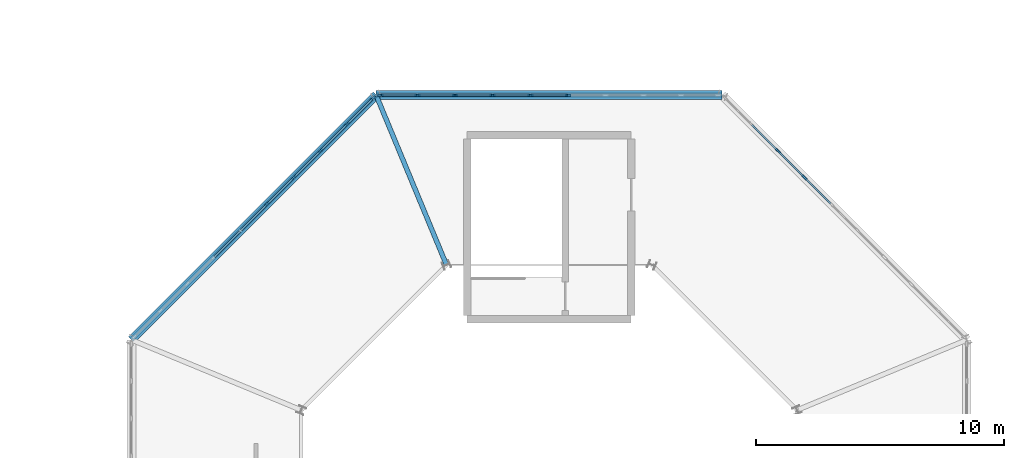
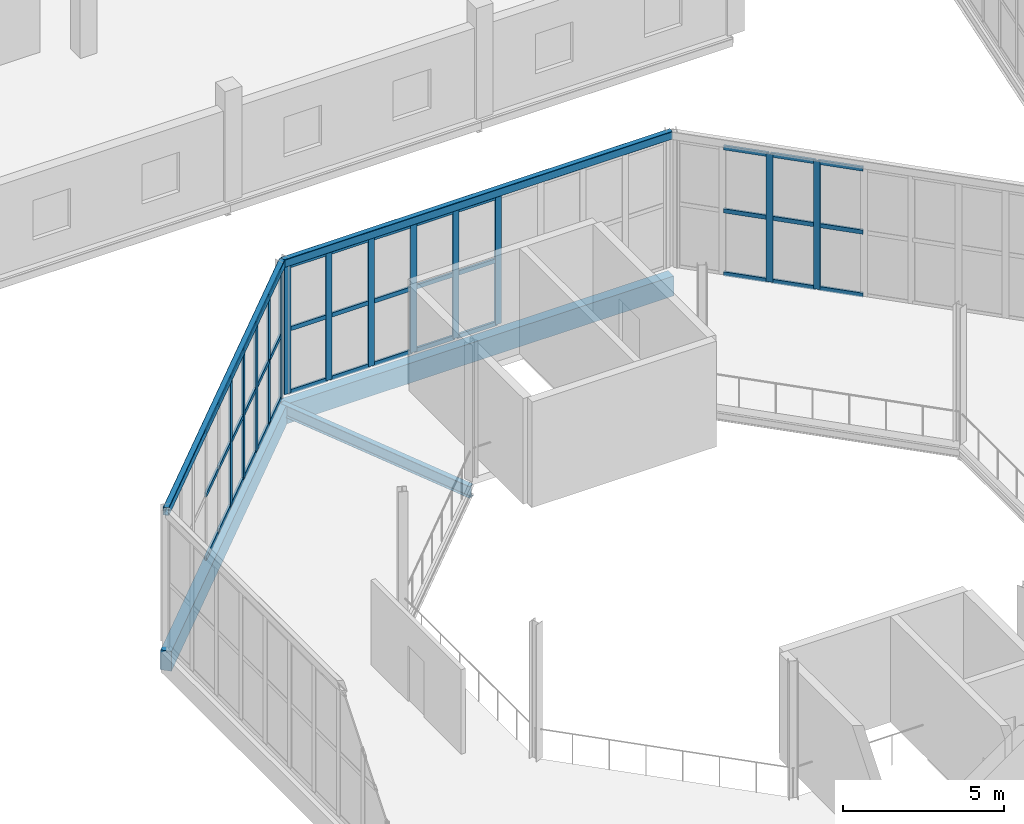
# One storey, part 49 of 161: 55 members, 5 beams, 3 elements without a shape of their own.
"""IFC4 building model written with IfcOpenShell, lengths in metres."""

from ifc_helpers import new_model, si_unit, direction, frame, origin, origin_2d, place, context, subcontext, project, spatial, rectangle, hollow_rectangle, i_section, extrude, material, material_profile, profile_set, type_object, element, aggregate, save


model = new_model("IFC4")

# Units and contexts
model_context = context("Model", 3, precision=1e-05, world=origin(), true_north=direction((0.0, 1.0)))
body_context = subcontext(model_context, "Body", "Model", "MODEL_VIEW")
ifc_project = project(units=[si_unit("LENGTHUNIT", "METRE"), si_unit("AREAUNIT", "SQUARE_METRE"), si_unit("VOLUMEUNIT", "CUBIC_METRE"), si_unit("PLANEANGLEUNIT", "RADIAN"), si_unit("MASSUNIT", "GRAM", prefix="KILO")], contexts=[model_context])

# Site, building, storey
site_placement = place(None, origin())
site = spatial("IfcSite", under=ifc_project, at=site_placement, CompositionType="ELEMENT")
building_placement = place(site_placement, origin())
building = spatial("IfcBuilding", under=site, at=building_placement, Name="Kildeholm Park Wholesale Market", CompositionType="ELEMENT")
storey_placement = place(building_placement, frame((0.0, 0.0, 5.39990234375)))
storey = spatial("IfcBuildingStorey", under=building, at=storey_placement, Name="L01", CompositionType="ELEMENT", Elevation=5.39990234375)

# Beams
ifc_material_1 = material(Name="Steel S355", Category="steel")
ifc_material_profile_1 = material_profile(ifc_material_1, i_section(OverallWidth=0.18994140625, OverallDepth=0.449951171875, WebThickness=0.009521484375, FlangeThickness=0.0146484375, FilletRadius=0.02099609375, at=origin_2d()), Name="IPE 450")
ifc_profile_set_1 = profile_set([ifc_material_profile_1], Name="Steel S355")
beam_type_1 = type_object("IfcBeamType", Name="Beam B-P02 IPE 450", PredefinedType="BEAM", material=ifc_profile_set_1)
beam_1_placement = place(storey_placement, frame((16.866943359375, 81.97802734375, -0.494873046875), z_axis=(-0.382693665462, 0.923875293758, 0.0), x_axis=(-0.923875293758, -0.382693665462, 0.0)))
element("IfcBeam", 1, at=beam_1_placement, inside=storey, type_object=beam_type_1, Name="Beam BM-V3-L01-R-02 BM-0487", PredefinedType="BEAM", context=body_context, shape_type="SweptSolid", body=[
    extrude(i_section(OverallWidth=0.18994140625, OverallDepth=0.449951171875, WebThickness=0.009521484375, FlangeThickness=0.0146484375, FilletRadius=0.02099609375, at=origin_2d()), origin(), (0.0, 0.0, 1.0), 7.400146484375),
])
ifc_material_profile_2 = material_profile(ifc_material_1, hollow_rectangle(XDim=0.199951171875, YDim=0.300048828125, WallThickness=0.012451171875, InnerFilletRadius=0.012451171875, OuterFilletRadius=0.02490234375, at=origin_2d()), Name="RHS 300x200x12.5")
ifc_profile_set_2 = profile_set([ifc_material_profile_2], Name="Steel S355")
beam_type_2 = type_object("IfcBeamType", Name="Beam SP-01 RHS 300x200x12.5", PredefinedType="SPANDREL", material=ifc_profile_set_2)
beam_2_placement = place(storey_placement, frame((27.965087890625, 88.81494140625, 5.00927734375), z_axis=(-1.0, 0.0, 0.0), x_axis=(0.0, -1.0, 0.0)))
element("IfcBeam", 2, at=beam_2_placement, inside=storey, type_object=beam_type_2, Name="Beam BM-V3-EAV-01 BM-0484", PredefinedType="SPANDREL", context=body_context, shape_type="SweptSolid", body=[
    extrude(hollow_rectangle(XDim=0.199951171875, YDim=0.300048828125, WallThickness=0.012451171875, InnerFilletRadius=0.012451171875, OuterFilletRadius=0.02490234375, at=origin_2d()), origin(), (0.0, 0.0, 1.0), 13.93017578125),
])
beam_3_placement = place(storey_placement, frame((14.034912109375, 88.81494140625, 5.00927734375), z_axis=(-0.707106781187, -0.707106781187, 0.0), x_axis=(0.707106781187, -0.707106781187, 0.0)))
element("IfcBeam", 3, at=beam_3_placement, inside=storey, type_object=beam_type_2, Name="Beam BM-V3-EAV-02 BM-0490", PredefinedType="SPANDREL", context=body_context, shape_type="SweptSolid", body=[
    extrude(hollow_rectangle(XDim=0.199951171875, YDim=0.300048828125, WallThickness=0.012451171875, InnerFilletRadius=0.012451171875, OuterFilletRadius=0.02490234375, at=origin_2d()), origin(), (0.0, 0.0, 1.0), 13.9296875),
])
ifc_material_2 = material(Name="Precast concrete C40/50", Category="concrete")
ifc_material_profile_3 = material_profile(ifc_material_2, rectangle(XDim=0.35009765625, YDim=0.75, at=origin_2d()), Name="PC-SP 350x750")
ifc_profile_set_3 = profile_set([ifc_material_profile_3], Name="Precast concrete C40/50")
beam_type_3 = type_object("IfcBeamType", Name="Beam SP-03 PC-SP 350x750", PredefinedType="SPANDREL", material=ifc_profile_set_3)
beam_4_placement = place(storey_placement, frame((27.965087890625, 88.81494140625, -0.64501953125), z_axis=(-1.0, 0.0, 0.0), x_axis=(0.0, -1.0, 0.0)))
element("IfcBeam", 4, at=beam_4_placement, inside=storey, type_object=beam_type_3, Name="Beam BM-V3-L01-CO-01 BM-0483", PredefinedType="SPANDREL", context=body_context, shape_type="SweptSolid", body=[
    extrude(rectangle(XDim=0.35009765625, YDim=0.75, at=origin_2d()), origin(), (0.0, 0.0, 1.0), 13.93017578125),
])
beam_5_placement = place(storey_placement, frame((14.034912109375, 88.81494140625, -0.64501953125), z_axis=(-0.707106781187, -0.707106781187, 0.0), x_axis=(0.707106781187, -0.707106781187, 0.0)))
element("IfcBeam", 5, at=beam_5_placement, inside=storey, type_object=beam_type_3, Name="Beam BM-V3-L01-CO-02 BM-0489", PredefinedType="SPANDREL", context=body_context, shape_type="SweptSolid", body=[
    extrude(rectangle(XDim=0.35009765625, YDim=0.75, at=origin_2d()), origin(), (0.0, 0.0, 1.0), 13.9296875),
])

# Curtain wall, members
ifc_material_3 = material(Name="Anodised aluminium and low-E double-glazed glass", Category="aluminium")
curtain_wall_type = type_object("IfcCurtainWallType", Name="Clerestory daylight stick curtain wall CW-02", PredefinedType="NOTDEFINED", material=ifc_material_3)
curtain_wall_1_placement = place(storey_placement, origin())
curtain_wall_1 = element("IfcCurtainWall", 6, at=curtain_wall_1_placement, inside=storey, type_object=curtain_wall_type, Name="Curtain wall CW-V3-L01-00 CW-0135", PredefinedType="NOTDEFINED")
ifc_material_4 = material(Name="Anodised aluminium", Category="aluminium")
ifc_material_profile_4 = material_profile(ifc_material_4, rectangle(XDim=0.074951171875, YDim=0.219970703125, at=origin_2d()), Name="CWM 75x220")
ifc_profile_set_4 = profile_set([ifc_material_profile_4], Name="Anodised aluminium")
member_type_1 = type_object("IfcMemberType", Name="Curtain-wall mullion CWM-2 CWM 75x220", PredefinedType="MULLION", material=ifc_profile_set_4)
member_1_placement = place(storey_placement, frame((31.28125, 85.498779296875, 0.0), z_axis=(0.0, 0.0, 1.0), x_axis=(-0.707106781187, -0.707106781187, 0.0)))
member_1 = element("IfcMember", 7, at=member_1_placement, type_object=member_type_1, Name="CW-02 mullion 7 MEM-4150", PredefinedType="MULLION", context=body_context, shape_type="SweptSolid", body=[
    extrude(rectangle(XDim=0.074951171875, YDim=0.219970703125, at=origin_2d()), origin(), (0.0, 0.0, 1.0), 4.85009765625),
])
member_2_placement = place(storey_placement, frame((30.208984375, 86.571044921875, 0.0), z_axis=(0.0, 0.0, 1.0), x_axis=(-0.707106781187, -0.707106781187, 0.0)))
member_2 = element("IfcMember", 8, at=member_2_placement, type_object=member_type_1, Name="CW-02 mullion 8 MEM-4151", PredefinedType="MULLION", context=body_context, shape_type="SweptSolid", body=[
    extrude(rectangle(XDim=0.074951171875, YDim=0.219970703125, at=origin_2d()), origin(), (0.0, 0.0, 1.0), 4.85009765625),
])

curtain_wall_2_placement = place(storey_placement, origin())
curtain_wall_2 = element("IfcCurtainWall", 9, at=curtain_wall_2_placement, inside=storey, type_object=curtain_wall_type, Name="Curtain wall CW-V3-L01-01 CW-0136", PredefinedType="NOTDEFINED")
member_3_placement = place(storey_placement, frame((21.75830078125, 88.81494140625, 0.0), z_axis=(0.0, 0.0, 1.0), x_axis=(0.0, -1.0, 0.0)))
member_3 = element("IfcMember", 10, at=member_3_placement, type_object=member_type_1, Name="CW-02 mullion 5 MEM-4185", PredefinedType="MULLION", context=body_context, shape_type="SweptSolid", body=[
    extrude(rectangle(XDim=0.074951171875, YDim=0.219970703125, at=origin_2d()), origin(), (0.0, 0.0, 1.0), 4.85009765625),
])
member_4_placement = place(storey_placement, frame((20.24169921875, 88.81494140625, 0.0), z_axis=(0.0, 0.0, 1.0), x_axis=(0.0, -1.0, 0.0)))
member_4 = element("IfcMember", 11, at=member_4_placement, type_object=member_type_1, Name="CW-02 mullion 6 MEM-4186", PredefinedType="MULLION", context=body_context, shape_type="SweptSolid", body=[
    extrude(rectangle(XDim=0.074951171875, YDim=0.219970703125, at=origin_2d()), origin(), (0.0, 0.0, 1.0), 4.85009765625),
])
member_5_placement = place(storey_placement, frame((18.72509765625, 88.81494140625, 0.0), z_axis=(0.0, 0.0, 1.0), x_axis=(0.0, -1.0, 0.0)))
member_5 = element("IfcMember", 12, at=member_5_placement, type_object=member_type_1, Name="CW-02 mullion 7 MEM-4187", PredefinedType="MULLION", context=body_context, shape_type="SweptSolid", body=[
    extrude(rectangle(XDim=0.074951171875, YDim=0.219970703125, at=origin_2d()), origin(), (0.0, 0.0, 1.0), 4.85009765625),
])
member_6_placement = place(storey_placement, frame((17.208251953125, 88.81494140625, 0.0), z_axis=(0.0, 0.0, 1.0), x_axis=(0.0, -1.0, 0.0)))
member_6 = element("IfcMember", 13, at=member_6_placement, type_object=member_type_1, Name="CW-02 mullion 8 MEM-4188", PredefinedType="MULLION", context=body_context, shape_type="SweptSolid", body=[
    extrude(rectangle(XDim=0.074951171875, YDim=0.219970703125, at=origin_2d()), origin(), (0.0, 0.0, 1.0), 4.85009765625),
])
member_7_placement = place(storey_placement, frame((15.691650390625, 88.81494140625, 0.0), z_axis=(0.0, 0.0, 1.0), x_axis=(0.0, -1.0, 0.0)))
member_7 = element("IfcMember", 14, at=member_7_placement, type_object=member_type_1, Name="CW-02 mullion 9 MEM-4189", PredefinedType="MULLION", context=body_context, shape_type="SweptSolid", body=[
    extrude(rectangle(XDim=0.074951171875, YDim=0.219970703125, at=origin_2d()), origin(), (0.0, 0.0, 1.0), 4.85009765625),
])
member_8_placement = place(storey_placement, frame((14.21240234375, 88.81494140625, 0.0), z_axis=(0.0, 0.0, 1.0), x_axis=(0.0, -1.0, 0.0)))
member_8 = element("IfcMember", 15, at=member_8_placement, type_object=member_type_1, Name="CW-02 mullion 10 MEM-4190", PredefinedType="MULLION", context=body_context, shape_type="SweptSolid", body=[
    extrude(rectangle(XDim=0.074951171875, YDim=0.219970703125, at=origin_2d()), origin(), (0.0, 0.0, 1.0), 4.85009765625),
])

curtain_wall_3_placement = place(storey_placement, origin())
curtain_wall_3 = element("IfcCurtainWall", 16, at=curtain_wall_3_placement, inside=storey, type_object=curtain_wall_type, Name="Curtain wall CW-V3-L01-02 CW-0137", PredefinedType="NOTDEFINED")
member_9_placement = place(storey_placement, frame((13.909423828125, 88.689453125, 0.0), z_axis=(0.0, 0.0, 1.0), x_axis=(0.707106781187, -0.707106781187, 0.0)))
member_9 = element("IfcMember", 17, at=member_9_placement, type_object=member_type_1, Name="CW-02 mullion 1 MEM-4218", PredefinedType="MULLION", context=body_context, shape_type="SweptSolid", body=[
    extrude(rectangle(XDim=0.074951171875, YDim=0.219970703125, at=origin_2d()), origin(), (0.0, 0.0, 1.0), 4.85009765625),
])
member_10_placement = place(storey_placement, frame((12.863525390625, 87.6435546875, 0.0), z_axis=(0.0, 0.0, 1.0), x_axis=(0.707106781187, -0.707106781187, 0.0)))
member_10 = element("IfcMember", 18, at=member_10_placement, type_object=member_type_1, Name="CW-02 mullion 2 MEM-4219", PredefinedType="MULLION", context=body_context, shape_type="SweptSolid", body=[
    extrude(rectangle(XDim=0.074951171875, YDim=0.219970703125, at=origin_2d()), origin(), (0.0, 0.0, 1.0), 4.85009765625),
])
member_11_placement = place(storey_placement, frame((11.791015625, 86.571044921875, 0.0), z_axis=(0.0, 0.0, 1.0), x_axis=(0.707106781187, -0.707106781187, 0.0)))
member_11 = element("IfcMember", 19, at=member_11_placement, type_object=member_type_1, Name="CW-02 mullion 3 MEM-4220", PredefinedType="MULLION", context=body_context, shape_type="SweptSolid", body=[
    extrude(rectangle(XDim=0.074951171875, YDim=0.219970703125, at=origin_2d()), origin(), (0.0, 0.0, 1.0), 4.85009765625),
])
member_12_placement = place(storey_placement, frame((10.71875, 85.498779296875, 0.0), z_axis=(0.0, 0.0, 1.0), x_axis=(0.707106781187, -0.707106781187, 0.0)))
member_12 = element("IfcMember", 20, at=member_12_placement, type_object=member_type_1, Name="CW-02 mullion 4 MEM-4221", PredefinedType="MULLION", context=body_context, shape_type="SweptSolid", body=[
    extrude(rectangle(XDim=0.074951171875, YDim=0.219970703125, at=origin_2d()), origin(), (0.0, 0.0, 1.0), 4.85009765625),
])
member_13_placement = place(storey_placement, frame((9.646240234375, 84.42626953125, 0.0), z_axis=(0.0, 0.0, 1.0), x_axis=(0.707106781187, -0.707106781187, 0.0)))
member_13 = element("IfcMember", 21, at=member_13_placement, type_object=member_type_1, Name="CW-02 mullion 5 MEM-4222", PredefinedType="MULLION", context=body_context, shape_type="SweptSolid", body=[
    extrude(rectangle(XDim=0.074951171875, YDim=0.219970703125, at=origin_2d()), origin(), (0.0, 0.0, 1.0), 4.85009765625),
])

# Member
ifc_material_profile_5 = material_profile(ifc_material_4, rectangle(XDim=0.074951171875, YDim=0.159912109375, at=origin_2d()), Name="CWT 75x160")
ifc_profile_set_5 = profile_set([ifc_material_profile_5], Name="Anodised aluminium")
member_type_2 = type_object("IfcMemberType", Name="Curtain-wall transom CWT-2 CWT 75x160", PredefinedType="USERDEFINED", material=ifc_profile_set_5)
member_14_placement = place(storey_placement, frame((32.3271484375, 84.45263671875, 0.03759765625), z_axis=(-0.707022102811, 0.707191449423, 0.0), x_axis=(-0.707191449423, -0.707022102811, 0.0)))
member_14 = element("IfcMember", 22, at=member_14_placement, type_object=member_type_2, Name="CW-02 transom 6.1 MEM-4169", ObjectType="TRANSOM", PredefinedType="USERDEFINED", context=body_context, shape_type="SweptSolid", body=[
    extrude(rectangle(XDim=0.074951171875, YDim=0.159912109375, at=origin_2d()), origin(), (0.0, 0.0, 1.0), 1.441650390625),
])

member_15_placement = place(storey_placement, frame((32.3271484375, 84.45263671875, 2.425048828125), z_axis=(-0.707022102811, 0.707191449423, 0.0), x_axis=(-0.707191449423, -0.707022102811, 0.0)))
member_15 = element("IfcMember", 23, at=member_15_placement, type_object=member_type_2, Name="CW-02 transom 6.2 MEM-4170", ObjectType="TRANSOM", PredefinedType="USERDEFINED", context=body_context, shape_type="SweptSolid", body=[
    extrude(rectangle(XDim=0.074951171875, YDim=0.159912109375, at=origin_2d()), origin(), (0.0, 0.0, 1.0), 1.441650390625),
])

member_16_placement = place(storey_placement, frame((32.3271484375, 84.45263671875, 4.8125), z_axis=(-0.707022102811, 0.707191449423, 0.0), x_axis=(-0.707191449423, -0.707022102811, 0.0)))
member_16 = element("IfcMember", 24, at=member_16_placement, type_object=member_type_2, Name="CW-02 transom 6.3 MEM-4171", ObjectType="TRANSOM", PredefinedType="USERDEFINED", context=body_context, shape_type="SweptSolid", body=[
    extrude(rectangle(XDim=0.074951171875, YDim=0.159912109375, at=origin_2d()), origin(), (0.0, 0.0, 1.0), 1.441650390625),
])

member_17_placement = place(storey_placement, frame((31.2548828125, 85.525146484375, 0.03759765625), z_axis=(-0.707106781187, 0.707106781187, 0.0), x_axis=(-0.707106781187, -0.707106781187, 0.0)))
member_17 = element("IfcMember", 25, at=member_17_placement, type_object=member_type_2, Name="CW-02 transom 7.1 MEM-4172", ObjectType="TRANSOM", PredefinedType="USERDEFINED", context=body_context, shape_type="SweptSolid", body=[
    extrude(rectangle(XDim=0.074951171875, YDim=0.159912109375, at=origin_2d()), origin(), (0.0, 0.0, 1.0), 1.44189453125),
])

member_18_placement = place(storey_placement, frame((31.2548828125, 85.525146484375, 2.425048828125), z_axis=(-0.707106781187, 0.707106781187, 0.0), x_axis=(-0.707106781187, -0.707106781187, 0.0)))
member_18 = element("IfcMember", 26, at=member_18_placement, type_object=member_type_2, Name="CW-02 transom 7.2 MEM-4173", ObjectType="TRANSOM", PredefinedType="USERDEFINED", context=body_context, shape_type="SweptSolid", body=[
    extrude(rectangle(XDim=0.074951171875, YDim=0.159912109375, at=origin_2d()), origin(), (0.0, 0.0, 1.0), 1.44189453125),
])

member_19_placement = place(storey_placement, frame((31.2548828125, 85.525146484375, 4.8125), z_axis=(-0.707106781187, 0.707106781187, 0.0), x_axis=(-0.707106781187, -0.707106781187, 0.0)))
member_19 = element("IfcMember", 27, at=member_19_placement, type_object=member_type_2, Name="CW-02 transom 7.3 MEM-4174", ObjectType="TRANSOM", PredefinedType="USERDEFINED", context=body_context, shape_type="SweptSolid", body=[
    extrude(rectangle(XDim=0.074951171875, YDim=0.159912109375, at=origin_2d()), origin(), (0.0, 0.0, 1.0), 1.44189453125),
])

member_20_placement = place(storey_placement, frame((30.182373046875, 86.59765625, 0.03759765625), z_axis=(-0.707191449423, 0.707022102811, 0.0), x_axis=(-0.707022102811, -0.707191449423, 0.0)))
member_20 = element("IfcMember", 28, at=member_20_placement, type_object=member_type_2, Name="CW-02 transom 8.1 MEM-4175", ObjectType="TRANSOM", PredefinedType="USERDEFINED", context=body_context, shape_type="SweptSolid", body=[
    extrude(rectangle(XDim=0.074951171875, YDim=0.159912109375, at=origin_2d()), origin(), (0.0, 0.0, 1.0), 1.441650390625),
])

member_21_placement = place(storey_placement, frame((30.182373046875, 86.59765625, 2.425048828125), z_axis=(-0.707191449423, 0.707022102811, 0.0), x_axis=(-0.707022102811, -0.707191449423, 0.0)))
member_21 = element("IfcMember", 29, at=member_21_placement, type_object=member_type_2, Name="CW-02 transom 8.2 MEM-4176", ObjectType="TRANSOM", PredefinedType="USERDEFINED", context=body_context, shape_type="SweptSolid", body=[
    extrude(rectangle(XDim=0.074951171875, YDim=0.159912109375, at=origin_2d()), origin(), (0.0, 0.0, 1.0), 1.441650390625),
])

member_22_placement = place(storey_placement, frame((30.182373046875, 86.59765625, 4.8125), z_axis=(-0.707191449423, 0.707022102811, 0.0), x_axis=(-0.707022102811, -0.707191449423, 0.0)))
member_22 = element("IfcMember", 30, at=member_22_placement, type_object=member_type_2, Name="CW-02 transom 8.3 MEM-4177", ObjectType="TRANSOM", PredefinedType="USERDEFINED", context=body_context, shape_type="SweptSolid", body=[
    extrude(rectangle(XDim=0.074951171875, YDim=0.159912109375, at=origin_2d()), origin(), (0.0, 0.0, 1.0), 1.441650390625),
])

aggregate(curtain_wall_1, [member_1, member_2, member_14, member_15, member_16, member_17, member_18, member_19, member_20, member_21, member_22])

member_23_placement = place(storey_placement, frame((21.720947265625, 88.81494140625, 0.03759765625), z_axis=(-1.0, 0.0, 0.0), x_axis=(0.0, -1.0, 0.0)))
member_23 = element("IfcMember", 31, at=member_23_placement, type_object=member_type_2, Name="CW-02 transom 5.1 MEM-4203", ObjectType="TRANSOM", PredefinedType="USERDEFINED", context=body_context, shape_type="SweptSolid", body=[
    extrude(rectangle(XDim=0.074951171875, YDim=0.159912109375, at=origin_2d()), origin(), (0.0, 0.0, 1.0), 1.44189453125),
])

member_24_placement = place(storey_placement, frame((21.720947265625, 88.81494140625, 2.425048828125), z_axis=(-1.0, 0.0, 0.0), x_axis=(0.0, -1.0, 0.0)))
member_24 = element("IfcMember", 32, at=member_24_placement, type_object=member_type_2, Name="CW-02 transom 5.2 MEM-4204", ObjectType="TRANSOM", PredefinedType="USERDEFINED", context=body_context, shape_type="SweptSolid", body=[
    extrude(rectangle(XDim=0.074951171875, YDim=0.159912109375, at=origin_2d()), origin(), (0.0, 0.0, 1.0), 1.44189453125),
])

member_25_placement = place(storey_placement, frame((21.720947265625, 88.81494140625, 4.8125), z_axis=(-1.0, 0.0, 0.0), x_axis=(0.0, -1.0, 0.0)))
member_25 = element("IfcMember", 33, at=member_25_placement, type_object=member_type_2, Name="CW-02 transom 5.3 MEM-4205", ObjectType="TRANSOM", PredefinedType="USERDEFINED", context=body_context, shape_type="SweptSolid", body=[
    extrude(rectangle(XDim=0.074951171875, YDim=0.159912109375, at=origin_2d()), origin(), (0.0, 0.0, 1.0), 1.44189453125),
])

member_26_placement = place(storey_placement, frame((20.2041015625, 88.81494140625, 0.03759765625), z_axis=(-1.0, 0.0, 0.0), x_axis=(0.0, -1.0, 0.0)))
member_26 = element("IfcMember", 34, at=member_26_placement, type_object=member_type_2, Name="CW-02 transom 6.1 MEM-4206", ObjectType="TRANSOM", PredefinedType="USERDEFINED", context=body_context, shape_type="SweptSolid", body=[
    extrude(rectangle(XDim=0.074951171875, YDim=0.159912109375, at=origin_2d()), origin(), (0.0, 0.0, 1.0), 1.441650390625),
])

member_27_placement = place(storey_placement, frame((20.2041015625, 88.81494140625, 2.425048828125), z_axis=(-1.0, 0.0, 0.0), x_axis=(0.0, -1.0, 0.0)))
member_27 = element("IfcMember", 35, at=member_27_placement, type_object=member_type_2, Name="CW-02 transom 6.2 MEM-4207", ObjectType="TRANSOM", PredefinedType="USERDEFINED", context=body_context, shape_type="SweptSolid", body=[
    extrude(rectangle(XDim=0.074951171875, YDim=0.159912109375, at=origin_2d()), origin(), (0.0, 0.0, 1.0), 1.441650390625),
])

member_28_placement = place(storey_placement, frame((20.2041015625, 88.81494140625, 4.8125), z_axis=(-1.0, 0.0, 0.0), x_axis=(0.0, -1.0, 0.0)))
member_28 = element("IfcMember", 36, at=member_28_placement, type_object=member_type_2, Name="CW-02 transom 6.3 MEM-4208", ObjectType="TRANSOM", PredefinedType="USERDEFINED", context=body_context, shape_type="SweptSolid", body=[
    extrude(rectangle(XDim=0.074951171875, YDim=0.159912109375, at=origin_2d()), origin(), (0.0, 0.0, 1.0), 1.441650390625),
])

member_29_placement = place(storey_placement, frame((18.6875, 88.81494140625, 0.03759765625), z_axis=(-1.0, 0.0, 0.0), x_axis=(0.0, -1.0, 0.0)))
member_29 = element("IfcMember", 37, at=member_29_placement, type_object=member_type_2, Name="CW-02 transom 7.1 MEM-4209", ObjectType="TRANSOM", PredefinedType="USERDEFINED", context=body_context, shape_type="SweptSolid", body=[
    extrude(rectangle(XDim=0.074951171875, YDim=0.159912109375, at=origin_2d()), origin(), (0.0, 0.0, 1.0), 1.441650390625),
])

member_30_placement = place(storey_placement, frame((18.6875, 88.81494140625, 2.425048828125), z_axis=(-1.0, 0.0, 0.0), x_axis=(0.0, -1.0, 0.0)))
member_30 = element("IfcMember", 38, at=member_30_placement, type_object=member_type_2, Name="CW-02 transom 7.2 MEM-4210", ObjectType="TRANSOM", PredefinedType="USERDEFINED", context=body_context, shape_type="SweptSolid", body=[
    extrude(rectangle(XDim=0.074951171875, YDim=0.159912109375, at=origin_2d()), origin(), (0.0, 0.0, 1.0), 1.441650390625),
])

member_31_placement = place(storey_placement, frame((18.6875, 88.81494140625, 4.8125), z_axis=(-1.0, 0.0, 0.0), x_axis=(0.0, -1.0, 0.0)))
member_31 = element("IfcMember", 39, at=member_31_placement, type_object=member_type_2, Name="CW-02 transom 7.3 MEM-4211", ObjectType="TRANSOM", PredefinedType="USERDEFINED", context=body_context, shape_type="SweptSolid", body=[
    extrude(rectangle(XDim=0.074951171875, YDim=0.159912109375, at=origin_2d()), origin(), (0.0, 0.0, 1.0), 1.441650390625),
])

member_32_placement = place(storey_placement, frame((17.1708984375, 88.81494140625, 0.03759765625), z_axis=(-1.0, 0.0, 0.0), x_axis=(0.0, -1.0, 0.0)))
member_32 = element("IfcMember", 40, at=member_32_placement, type_object=member_type_2, Name="CW-02 transom 8.1 MEM-4212", ObjectType="TRANSOM", PredefinedType="USERDEFINED", context=body_context, shape_type="SweptSolid", body=[
    extrude(rectangle(XDim=0.074951171875, YDim=0.159912109375, at=origin_2d()), origin(), (0.0, 0.0, 1.0), 1.441650390625),
])

member_33_placement = place(storey_placement, frame((17.1708984375, 88.81494140625, 2.425048828125), z_axis=(-1.0, 0.0, 0.0), x_axis=(0.0, -1.0, 0.0)))
member_33 = element("IfcMember", 41, at=member_33_placement, type_object=member_type_2, Name="CW-02 transom 8.2 MEM-4213", ObjectType="TRANSOM", PredefinedType="USERDEFINED", context=body_context, shape_type="SweptSolid", body=[
    extrude(rectangle(XDim=0.074951171875, YDim=0.159912109375, at=origin_2d()), origin(), (0.0, 0.0, 1.0), 1.441650390625),
])

member_34_placement = place(storey_placement, frame((17.1708984375, 88.81494140625, 4.8125), z_axis=(-1.0, 0.0, 0.0), x_axis=(0.0, -1.0, 0.0)))
member_34 = element("IfcMember", 42, at=member_34_placement, type_object=member_type_2, Name="CW-02 transom 8.3 MEM-4214", ObjectType="TRANSOM", PredefinedType="USERDEFINED", context=body_context, shape_type="SweptSolid", body=[
    extrude(rectangle(XDim=0.074951171875, YDim=0.159912109375, at=origin_2d()), origin(), (0.0, 0.0, 1.0), 1.441650390625),
])

member_35_placement = place(storey_placement, frame((15.654052734375, 88.81494140625, 0.03759765625), z_axis=(-1.0, 0.0, 0.0), x_axis=(0.0, -1.0, 0.0)))
member_35 = element("IfcMember", 43, at=member_35_placement, type_object=member_type_2, Name="CW-02 transom 9.1 MEM-4215", ObjectType="TRANSOM", PredefinedType="USERDEFINED", context=body_context, shape_type="SweptSolid", body=[
    extrude(rectangle(XDim=0.074951171875, YDim=0.159912109375, at=origin_2d()), origin(), (0.0, 0.0, 1.0), 1.404052734375),
])

member_36_placement = place(storey_placement, frame((15.654052734375, 88.81494140625, 2.425048828125), z_axis=(-1.0, 0.0, 0.0), x_axis=(0.0, -1.0, 0.0)))
member_36 = element("IfcMember", 44, at=member_36_placement, type_object=member_type_2, Name="CW-02 transom 9.2 MEM-4216", ObjectType="TRANSOM", PredefinedType="USERDEFINED", context=body_context, shape_type="SweptSolid", body=[
    extrude(rectangle(XDim=0.074951171875, YDim=0.159912109375, at=origin_2d()), origin(), (0.0, 0.0, 1.0), 1.404052734375),
])

member_37_placement = place(storey_placement, frame((15.654052734375, 88.81494140625, 4.8125), z_axis=(-1.0, 0.0, 0.0), x_axis=(0.0, -1.0, 0.0)))
member_37 = element("IfcMember", 45, at=member_37_placement, type_object=member_type_2, Name="CW-02 transom 9.3 MEM-4217", ObjectType="TRANSOM", PredefinedType="USERDEFINED", context=body_context, shape_type="SweptSolid", body=[
    extrude(rectangle(XDim=0.074951171875, YDim=0.159912109375, at=origin_2d()), origin(), (0.0, 0.0, 1.0), 1.404052734375),
])

aggregate(curtain_wall_2, [member_3, member_4, member_5, member_6, member_7, member_8, member_23, member_24, member_25, member_26, member_27, member_28, member_29, member_30, member_31, member_32, member_33, member_34, member_35, member_36, member_37])

member_38_placement = place(storey_placement, frame((13.883056640625, 88.6630859375, 0.03759765625), z_axis=(-0.707106781187, -0.707106781187, 0.0), x_axis=(0.707106781187, -0.707106781187, 0.0)))
member_38 = element("IfcMember", 46, at=member_38_placement, type_object=member_type_2, Name="CW-02 transom 1.1 MEM-4228", ObjectType="TRANSOM", PredefinedType="USERDEFINED", context=body_context, shape_type="SweptSolid", body=[
    extrude(rectangle(XDim=0.074951171875, YDim=0.159912109375, at=origin_2d()), origin(), (0.0, 0.0, 1.0), 1.404296875),
])

member_39_placement = place(storey_placement, frame((13.883056640625, 88.6630859375, 2.425048828125), z_axis=(-0.707106781187, -0.707106781187, 0.0), x_axis=(0.707106781187, -0.707106781187, 0.0)))
member_39 = element("IfcMember", 47, at=member_39_placement, type_object=member_type_2, Name="CW-02 transom 1.2 MEM-4229", ObjectType="TRANSOM", PredefinedType="USERDEFINED", context=body_context, shape_type="SweptSolid", body=[
    extrude(rectangle(XDim=0.074951171875, YDim=0.159912109375, at=origin_2d()), origin(), (0.0, 0.0, 1.0), 1.404296875),
])

member_40_placement = place(storey_placement, frame((13.883056640625, 88.6630859375, 4.8125), z_axis=(-0.707106781187, -0.707106781187, 0.0), x_axis=(0.707106781187, -0.707106781187, 0.0)))
member_40 = element("IfcMember", 48, at=member_40_placement, type_object=member_type_2, Name="CW-02 transom 1.3 MEM-4230", ObjectType="TRANSOM", PredefinedType="USERDEFINED", context=body_context, shape_type="SweptSolid", body=[
    extrude(rectangle(XDim=0.074951171875, YDim=0.159912109375, at=origin_2d()), origin(), (0.0, 0.0, 1.0), 1.404296875),
])

member_41_placement = place(storey_placement, frame((12.837158203125, 87.616943359375, 0.03759765625), z_axis=(-0.707191449423, -0.707022102811, 0.0), x_axis=(0.707022102811, -0.707191449423, 0.0)))
member_41 = element("IfcMember", 49, at=member_41_placement, type_object=member_type_2, Name="CW-02 transom 2.1 MEM-4231", ObjectType="TRANSOM", PredefinedType="USERDEFINED", context=body_context, shape_type="SweptSolid", body=[
    extrude(rectangle(XDim=0.074951171875, YDim=0.159912109375, at=origin_2d()), origin(), (0.0, 0.0, 1.0), 1.441650390625),
])

member_42_placement = place(storey_placement, frame((12.837158203125, 87.616943359375, 2.425048828125), z_axis=(-0.707191449423, -0.707022102811, 0.0), x_axis=(0.707022102811, -0.707191449423, 0.0)))
member_42 = element("IfcMember", 50, at=member_42_placement, type_object=member_type_2, Name="CW-02 transom 2.2 MEM-4232", ObjectType="TRANSOM", PredefinedType="USERDEFINED", context=body_context, shape_type="SweptSolid", body=[
    extrude(rectangle(XDim=0.074951171875, YDim=0.159912109375, at=origin_2d()), origin(), (0.0, 0.0, 1.0), 1.441650390625),
])

member_43_placement = place(storey_placement, frame((12.837158203125, 87.616943359375, 4.8125), z_axis=(-0.707191449423, -0.707022102811, 0.0), x_axis=(0.707022102811, -0.707191449423, 0.0)))
member_43 = element("IfcMember", 51, at=member_43_placement, type_object=member_type_2, Name="CW-02 transom 2.3 MEM-4233", ObjectType="TRANSOM", PredefinedType="USERDEFINED", context=body_context, shape_type="SweptSolid", body=[
    extrude(rectangle(XDim=0.074951171875, YDim=0.159912109375, at=origin_2d()), origin(), (0.0, 0.0, 1.0), 1.441650390625),
])

member_44_placement = place(storey_placement, frame((11.7646484375, 86.544677734375, 0.03759765625), z_axis=(-0.707106781187, -0.707106781187, 0.0), x_axis=(0.707106781187, -0.707106781187, 0.0)))
member_44 = element("IfcMember", 52, at=member_44_placement, type_object=member_type_2, Name="CW-02 transom 3.1 MEM-4234", ObjectType="TRANSOM", PredefinedType="USERDEFINED", context=body_context, shape_type="SweptSolid", body=[
    extrude(rectangle(XDim=0.074951171875, YDim=0.159912109375, at=origin_2d()), origin(), (0.0, 0.0, 1.0), 1.44189453125),
])

member_45_placement = place(storey_placement, frame((11.7646484375, 86.544677734375, 2.425048828125), z_axis=(-0.707106781187, -0.707106781187, 0.0), x_axis=(0.707106781187, -0.707106781187, 0.0)))
member_45 = element("IfcMember", 53, at=member_45_placement, type_object=member_type_2, Name="CW-02 transom 3.2 MEM-4235", ObjectType="TRANSOM", PredefinedType="USERDEFINED", context=body_context, shape_type="SweptSolid", body=[
    extrude(rectangle(XDim=0.074951171875, YDim=0.159912109375, at=origin_2d()), origin(), (0.0, 0.0, 1.0), 1.44189453125),
])

member_46_placement = place(storey_placement, frame((11.7646484375, 86.544677734375, 4.8125), z_axis=(-0.707106781187, -0.707106781187, 0.0), x_axis=(0.707106781187, -0.707106781187, 0.0)))
member_46 = element("IfcMember", 54, at=member_46_placement, type_object=member_type_2, Name="CW-02 transom 3.3 MEM-4236", ObjectType="TRANSOM", PredefinedType="USERDEFINED", context=body_context, shape_type="SweptSolid", body=[
    extrude(rectangle(XDim=0.074951171875, YDim=0.159912109375, at=origin_2d()), origin(), (0.0, 0.0, 1.0), 1.44189453125),
])

member_47_placement = place(storey_placement, frame((10.692138671875, 85.47216796875, 0.03759765625), z_axis=(-0.707022102811, -0.707191449423, 0.0), x_axis=(0.707191449423, -0.707022102811, 0.0)))
member_47 = element("IfcMember", 55, at=member_47_placement, type_object=member_type_2, Name="CW-02 transom 4.1 MEM-4237", ObjectType="TRANSOM", PredefinedType="USERDEFINED", context=body_context, shape_type="SweptSolid", body=[
    extrude(rectangle(XDim=0.074951171875, YDim=0.159912109375, at=origin_2d()), origin(), (0.0, 0.0, 1.0), 1.441650390625),
])

member_48_placement = place(storey_placement, frame((10.692138671875, 85.47216796875, 2.425048828125), z_axis=(-0.707022102811, -0.707191449423, 0.0), x_axis=(0.707191449423, -0.707022102811, 0.0)))
member_48 = element("IfcMember", 56, at=member_48_placement, type_object=member_type_2, Name="CW-02 transom 4.2 MEM-4238", ObjectType="TRANSOM", PredefinedType="USERDEFINED", context=body_context, shape_type="SweptSolid", body=[
    extrude(rectangle(XDim=0.074951171875, YDim=0.159912109375, at=origin_2d()), origin(), (0.0, 0.0, 1.0), 1.441650390625),
])

member_49_placement = place(storey_placement, frame((10.692138671875, 85.47216796875, 4.8125), z_axis=(-0.707022102811, -0.707191449423, 0.0), x_axis=(0.707191449423, -0.707022102811, 0.0)))
member_49 = element("IfcMember", 57, at=member_49_placement, type_object=member_type_2, Name="CW-02 transom 4.3 MEM-4239", ObjectType="TRANSOM", PredefinedType="USERDEFINED", context=body_context, shape_type="SweptSolid", body=[
    extrude(rectangle(XDim=0.074951171875, YDim=0.159912109375, at=origin_2d()), origin(), (0.0, 0.0, 1.0), 1.441650390625),
])

member_50_placement = place(storey_placement, frame((9.61962890625, 84.399658203125, 0.03759765625), z_axis=(-0.707106781187, -0.707106781187, 0.0), x_axis=(0.707106781187, -0.707106781187, 0.0)))
member_50 = element("IfcMember", 58, at=member_50_placement, type_object=member_type_2, Name="CW-02 transom 5.1 MEM-4240", ObjectType="TRANSOM", PredefinedType="USERDEFINED", context=body_context, shape_type="SweptSolid", body=[
    extrude(rectangle(XDim=0.074951171875, YDim=0.159912109375, at=origin_2d()), origin(), (0.0, 0.0, 1.0), 1.44140625),
])

member_51_placement = place(storey_placement, frame((9.61962890625, 84.399658203125, 2.425048828125), z_axis=(-0.707106781187, -0.707106781187, 0.0), x_axis=(0.707106781187, -0.707106781187, 0.0)))
member_51 = element("IfcMember", 59, at=member_51_placement, type_object=member_type_2, Name="CW-02 transom 5.2 MEM-4241", ObjectType="TRANSOM", PredefinedType="USERDEFINED", context=body_context, shape_type="SweptSolid", body=[
    extrude(rectangle(XDim=0.074951171875, YDim=0.159912109375, at=origin_2d()), origin(), (0.0, 0.0, 1.0), 1.44140625),
])

member_52_placement = place(storey_placement, frame((9.61962890625, 84.399658203125, 4.8125), z_axis=(-0.707106781187, -0.707106781187, 0.0), x_axis=(0.707106781187, -0.707106781187, 0.0)))
member_52 = element("IfcMember", 60, at=member_52_placement, type_object=member_type_2, Name="CW-02 transom 5.3 MEM-4242", ObjectType="TRANSOM", PredefinedType="USERDEFINED", context=body_context, shape_type="SweptSolid", body=[
    extrude(rectangle(XDim=0.074951171875, YDim=0.159912109375, at=origin_2d()), origin(), (0.0, 0.0, 1.0), 1.44140625),
])

member_53_placement = place(storey_placement, frame((8.54736328125, 83.3271484375, 0.03759765625), z_axis=(-0.707191449423, -0.707022102811, 0.0), x_axis=(0.707022102811, -0.707191449423, 0.0)))
member_53 = element("IfcMember", 61, at=member_53_placement, type_object=member_type_2, Name="CW-02 transom 6.1 MEM-4243", ObjectType="TRANSOM", PredefinedType="USERDEFINED", context=body_context, shape_type="SweptSolid", body=[
    extrude(rectangle(XDim=0.074951171875, YDim=0.159912109375, at=origin_2d()), origin(), (0.0, 0.0, 1.0), 1.441650390625),
])

member_54_placement = place(storey_placement, frame((8.54736328125, 83.3271484375, 2.425048828125), z_axis=(-0.707191449423, -0.707022102811, 0.0), x_axis=(0.707022102811, -0.707191449423, 0.0)))
member_54 = element("IfcMember", 62, at=member_54_placement, type_object=member_type_2, Name="CW-02 transom 6.2 MEM-4244", ObjectType="TRANSOM", PredefinedType="USERDEFINED", context=body_context, shape_type="SweptSolid", body=[
    extrude(rectangle(XDim=0.074951171875, YDim=0.159912109375, at=origin_2d()), origin(), (0.0, 0.0, 1.0), 1.441650390625),
])

member_55_placement = place(storey_placement, frame((8.54736328125, 83.3271484375, 4.8125), z_axis=(-0.707191449423, -0.707022102811, 0.0), x_axis=(0.707022102811, -0.707191449423, 0.0)))
member_55 = element("IfcMember", 63, at=member_55_placement, type_object=member_type_2, Name="CW-02 transom 6.3 MEM-4245", ObjectType="TRANSOM", PredefinedType="USERDEFINED", context=body_context, shape_type="SweptSolid", body=[
    extrude(rectangle(XDim=0.074951171875, YDim=0.159912109375, at=origin_2d()), origin(), (0.0, 0.0, 1.0), 1.441650390625),
])

aggregate(curtain_wall_3, [member_9, member_10, member_11, member_12, member_13, member_38, member_39, member_40, member_41, member_42, member_43, member_44, member_45, member_46, member_47, member_48, member_49, member_50, member_51, member_52, member_53, member_54, member_55])

save(model, "model.ifc")
